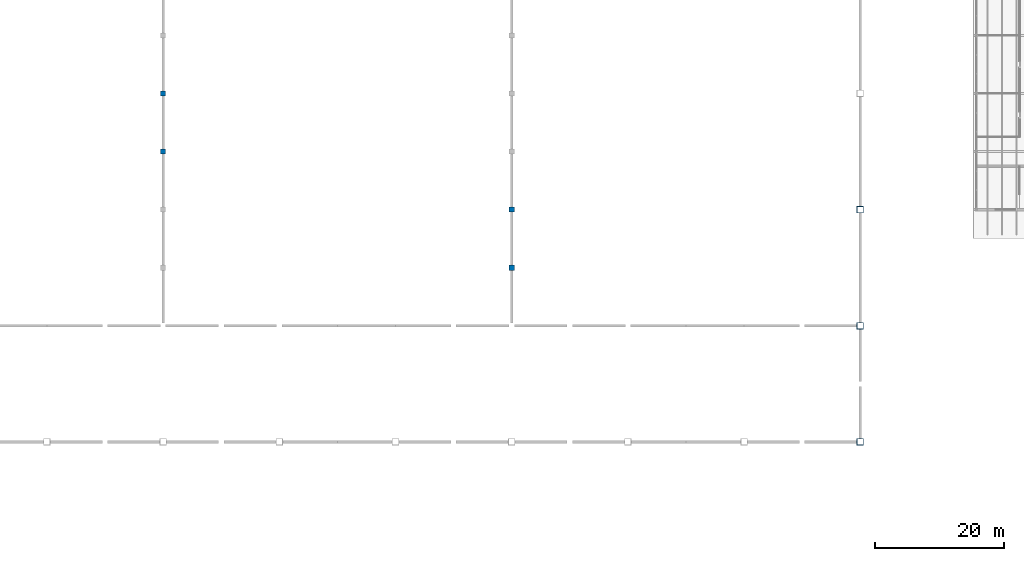
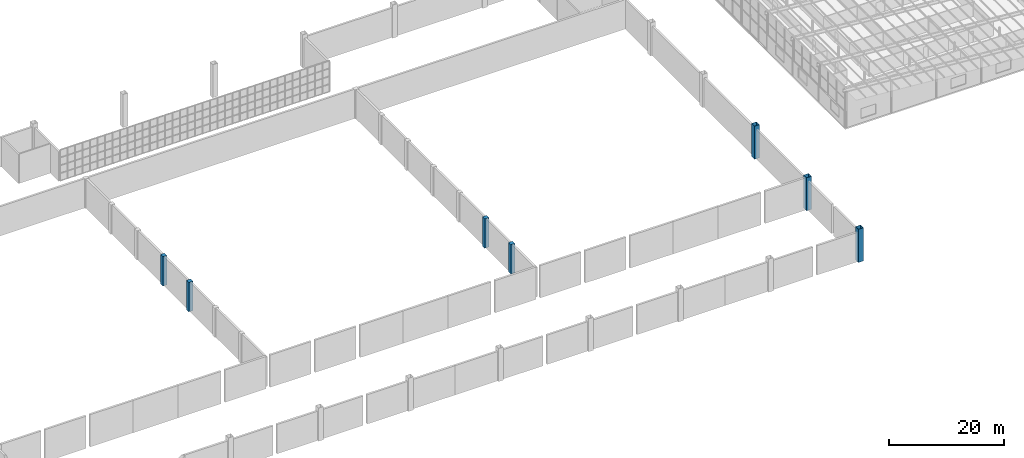
# One storey, part 4 of 85: 7 columns.
"""IFC4 building model written with IfcOpenShell, lengths in metres."""

import ifcopenshell
import ifcopenshell.guid

model = None  # the IFC model being written
_history = None  # IfcOwnerHistory: only IFC2X3 demands one
_inside = {}  # id of a spatial element -> (the spatial element, [elements in it])
_under = {}  # id of a project, library or spatial element -> (it, [spatial elements below it])
_declared = {}  # id of a project -> (the project, [libraries it declares])
_typed = {}  # id of a type object -> (the type object, [elements of that type])
_made_of = {}  # id of a material, layer set ... -> (it, [elements and type objects made of it])


def new_model(schema):
    """Start an empty IFC model of exactly this schema.

    Asked for "IFC4X3", IfcOpenShell would pick the latest addendum, in which some entities
    have other attributes; the version numbers below select the first issue.
    IFC2X3 requires an IfcOwnerHistory on every rooted entity: one is made here for all.
    """
    global model, _history
    if schema == "IFC4X3":
        model = ifcopenshell.file(schema_version=(4, 3, 0, 0))
    else:
        model = ifcopenshell.file(schema=schema)
    _inside.clear()
    _under.clear()
    _declared.clear()
    _typed.clear()
    _made_of.clear()
    _history = None
    if model.schema == "IFC2X3":
        org = make("IfcOrganization", Name="unknown")
        user = make(
            "IfcPersonAndOrganization",
            ThePerson=make("IfcPerson", FamilyName="unknown"),
            TheOrganization=org,
        )
        app = make(
            "IfcApplication",
            ApplicationDeveloper=org,
            Version="unknown",
            ApplicationFullName="unknown",
            ApplicationIdentifier="unknown",
        )
        _history = make(
            "IfcOwnerHistory",
            OwningUser=user,
            OwningApplication=app,
            ChangeAction="ADDED",
            CreationDate=0,
        )
    return model


def make(cls, **values):
    """One entity of the class cls with the attributes given. An attribute that is None is left unset."""
    return model.create_entity(
        cls, **{name: value for name, value in values.items() if value is not None}
    )


def rooted(cls, **values):
    """An entity with a GlobalId (a new one), such as an element, a storey or a relation."""
    return make(cls, GlobalId=ifcopenshell.guid.new(), OwnerHistory=_history, **values)


def si_unit(unit_type, name, prefix=None):
    """IfcSIUnit, for example si_unit("LENGTHUNIT", "METRE", prefix="MILLI")."""
    return make("IfcSIUnit", UnitType=unit_type, Prefix=prefix, Name=name)


def assignment(units):
    """IfcUnitAssignment: the units of a project."""
    return None if units is None else make("IfcUnitAssignment", Units=units)


def point(xyz):
    """IfcCartesianPoint."""
    return None if xyz is None else make("IfcCartesianPoint", Coordinates=xyz)


def direction(xyz):
    """IfcDirection."""
    return None if xyz is None else make("IfcDirection", DirectionRatios=xyz)


def frame(location, z_axis=None, x_axis=None):
    """IfcAxis2Placement3D, a coordinate frame: its origin and axes. An axis left out is left unset."""
    return make(
        "IfcAxis2Placement3D",
        Location=point(location),
        Axis=direction(z_axis),
        RefDirection=direction(x_axis),
    )


def frame_2d(location, x_axis=None):
    """IfcAxis2Placement2D, a coordinate frame in the plane: its origin and x axis."""
    return make(
        "IfcAxis2Placement2D", Location=point(location), RefDirection=direction(x_axis)
    )


def origin():
    """The frame at (0, 0, 0) with its axes left unset."""
    return frame((0.0, 0.0, 0.0))


def origin_2d():
    """The frame at (0, 0) in the plane with its x axis left unset."""
    return frame_2d((0.0, 0.0))


def place(relative_to, where):
    """IfcLocalPlacement: puts the frame where relative to a parent placement (None: the world)."""
    return make(
        "IfcLocalPlacement", PlacementRelTo=relative_to, RelativePlacement=where
    )


def context(
    kind, dimensions, precision=None, world=None, true_north=None, identifier=None
):
    """IfcGeometricRepresentationContext, for example the 3D "Model" context."""
    return make(
        "IfcGeometricRepresentationContext",
        ContextIdentifier=identifier,
        ContextType=kind,
        CoordinateSpaceDimension=dimensions,
        Precision=precision,
        WorldCoordinateSystem=world,
        TrueNorth=true_north,
    )


def subcontext(parent, identifier, kind, view, scale=None):
    """IfcGeometricRepresentationSubContext, for example "Body" below "Model"."""
    return make(
        "IfcGeometricRepresentationSubContext",
        ContextIdentifier=identifier,
        ContextType=kind,
        ParentContext=parent,
        TargetScale=scale,
        TargetView=view,
    )


def project(units=None, contexts=None):
    """IfcProject with its units and contexts."""
    return rooted(
        "IfcProject",
        Name="project",
        RepresentationContexts=contexts,
        UnitsInContext=assignment(units),
    )


def spatial(cls, under=None, at=None, **own):
    """A site, building, storey or space (cls), placed at a placement, below another one or the project."""
    s = rooted(cls, ObjectPlacement=at, **own)
    if under is not None:
        _under.setdefault(under.id(), (under, []))[1].append(s)
    return s


def profile(cls, at=None, kind="AREA", **sizes):
    """A parametric profile (cls). Its sizes go by their IFC names, for example OverallWidth=200.0."""
    return make(cls, ProfileType=kind, Position=at, **sizes)


def rectangle(**sizes):
    """IfcRectangleProfileDef."""
    return profile("IfcRectangleProfileDef", **sizes)


def hollow_rectangle(**sizes):
    """IfcRectangleHollowProfileDef."""
    return profile("IfcRectangleHollowProfileDef", **sizes)


def extrude(swept, where, along, depth):
    """IfcExtrudedAreaSolid: the profile swept, set in the frame where, extruded along a direction by depth."""
    return make(
        "IfcExtrudedAreaSolid",
        SweptArea=swept,
        Position=where,
        ExtrudedDirection=direction(along),
        Depth=depth,
    )


def shape(context_of_items, identifier, shape_type, items):
    """IfcShapeRepresentation: the items that make up one representation, for example the "Body"."""
    return make(
        "IfcShapeRepresentation",
        ContextOfItems=context_of_items,
        RepresentationIdentifier=identifier,
        RepresentationType=shape_type,
        Items=items,
    )


def material(Name=None, Category=None):
    """IfcMaterial."""
    return make("IfcMaterial", Name=Name, Category=Category)


def material_profile(
    of_material, cross_section, Name=None, Category=None, Priority=None
):
    """IfcMaterialProfile: a cross section and its material."""
    return make(
        "IfcMaterialProfile",
        Name=Name,
        Material=of_material,
        Profile=cross_section,
        Priority=Priority,
        Category=Category,
    )


def profile_set(profiles, Name=None, composite=None):
    """IfcMaterialProfileSet."""
    return make(
        "IfcMaterialProfileSet",
        Name=Name,
        MaterialProfiles=profiles,
        CompositeProfile=composite,
    )


def made_of(thing, what):
    """Note that an element or type object is made of a material, layer set ...; save() writes the relation."""
    if what is not None:
        _made_of.setdefault(what.id(), (what, []))[1].append(thing)
    return thing


def type_object(cls, material=None, **own):
    """A type object (cls), such as IfcWallType, which elements share."""
    return made_of(rooted(cls, **own), material)


def element(
    cls,
    number,
    at=None,
    inside=None,
    cuts=None,
    type_object=None,
    material=None,
    context=None,
    identifier="Body",
    shape_type=None,
    held_by="IfcProductDefinitionShape",
    body=None,
    shapes=None,
    **own,
):
    """One element of the class cls, such as IfcWall. Its Tag is "e" and its number.

    at: its placement. inside: the storey or other place that contains it. cuts: it is an
    opening in that element (IfcRelVoidsElement). A single representation is given by context,
    identifier, shape_type and body (its items); several are given by shapes. held_by: the class
    of the entity that holds the representations. save() writes the other relations.
    """
    e = rooted(cls, Tag="e%d" % number, ObjectPlacement=at, **own)
    if body is not None:
        shapes = [shape(context, identifier, shape_type, body)]
    if shapes is not None:
        e.Representation = make(held_by, Representations=shapes)
    if inside is not None:
        _inside.setdefault(inside.id(), (inside, []))[1].append(e)
    if cuts is not None:
        rooted(
            "IfcRelVoidsElement", RelatingBuildingElement=cuts, RelatedOpeningElement=e
        )
    if type_object is not None:
        _typed.setdefault(type_object.id(), (type_object, []))[1].append(e)
    return made_of(e, material)


def aggregate(whole, parts):
    """IfcRelAggregates: a whole, such as a stair, and the parts it consists of."""
    return rooted("IfcRelAggregates", RelatingObject=whole, RelatedObjects=parts)


def save(model, path):
    """Write the relations noted so far, then the file.

    IfcRelAggregates (storeys below a building ...), IfcRelContainedInSpatialStructure (elements
    in a storey), IfcRelDefinesByType, IfcRelAssociatesMaterial and IfcRelDeclares: one each for
    every whole, place, type object, material and project.
    """
    for whole, parts in _under.values():
        aggregate(whole, parts)
    for where, things in _inside.values():
        rooted(
            "IfcRelContainedInSpatialStructure",
            RelatedElements=things,
            RelatingStructure=where,
        )
    for kind, things in _typed.values():
        rooted("IfcRelDefinesByType", RelatedObjects=things, RelatingType=kind)
    for what, things in _made_of.values():
        rooted("IfcRelAssociatesMaterial", RelatedObjects=things, RelatingMaterial=what)
    for by, libraries in _declared.values():
        rooted("IfcRelDeclares", RelatingContext=by, RelatedDefinitions=libraries)
    model.write(path)


model = new_model("IFC4")

# Units and contexts
model_context = context("Model", 3, precision=1e-05, world=origin(), true_north=direction((0.0, 1.0)))
body_context = subcontext(model_context, "Body", "Model", "MODEL_VIEW")
ifc_project = project(units=[si_unit("LENGTHUNIT", "METRE"), si_unit("AREAUNIT", "SQUARE_METRE"), si_unit("VOLUMEUNIT", "CUBIC_METRE"), si_unit("PLANEANGLEUNIT", "RADIAN"), si_unit("MASSUNIT", "GRAM", prefix="KILO")], contexts=[model_context])

# Site, building, storey
site_placement = place(None, origin())
site = spatial("IfcSite", under=ifc_project, at=site_placement, CompositionType="ELEMENT")
building_placement = place(site_placement, origin())
building = spatial("IfcBuilding", under=site, at=building_placement, Name="Opaline Strait Convention Centre", CompositionType="ELEMENT")
storey_placement = place(building_placement, frame((0.0, 0.0, 17.0)))
storey = spatial("IfcBuildingStorey", under=building, at=storey_placement, Name="L03", CompositionType="ELEMENT", Elevation=17.0)

# Columns
ifc_material_1 = material(Name="Steel Q355B", Category="steel")
ifc_material_profile_1 = material_profile(ifc_material_1, hollow_rectangle(XDim=1.0, YDim=1.0, WallThickness=0.031982421875, at=origin_2d()), Name="BOX 1000x1000x32")
ifc_profile_set_1 = profile_set([ifc_material_profile_1], Name="Steel Q355B")
column_type_1 = type_object("IfcColumnType", Name="CFT column BOX 1000x1000x32 C60 fill", PredefinedType="COLUMN", material=ifc_profile_set_1)
for number, where, z_axis, x_axis, name in (
    (1, (261.0, 54.0, 0.0), (0.0, 0.0, 1.0), (1.0, 0.0, 0.0), "Roof column XC-24"),
    (2, (261.0, 72.0, 0.0), (0.0, 0.0, 1.0), (1.0, 0.0, 0.0), "Roof column XC-25"),
    (3, (261.0, 90.0, 0.0), (0.0, 0.0, 1.0), (1.0, 0.0, 0.0), "Roof column XC-26"),
):
    element("IfcColumn", number, at=place(storey_placement, frame(where, z_axis=z_axis, x_axis=x_axis)), inside=storey, type_object=column_type_1, Name=name, ObjectType="XC1", PredefinedType="COLUMN", context=body_context, shape_type="SweptSolid", body=[
        extrude(hollow_rectangle(XDim=1.0, YDim=1.0, WallThickness=0.031982421875, at=origin_2d()), origin(), (0.0, 0.0, 1.0), 7.0),
    ])
ifc_material_2 = material(Name="Concrete C40", Category="concrete")
ifc_material_profile_2 = material_profile(ifc_material_2, rectangle(XDim=0.800048828125, YDim=0.800048828125, at=origin_2d()), Name="RC 800x800")
ifc_profile_set_2 = profile_set([ifc_material_profile_2], Name="Concrete C40")
column_type_2 = type_object("IfcColumnType", Name="RC column 800x800 C40", PredefinedType="COLUMN", material=ifc_profile_set_2)
for number, where, z_axis, x_axis, name in (
    (4, (153.0, 99.0, 0.0), (0.0, 0.0, 1.0), (1.0, 0.0, 0.0), "Fire wall pilaster above L03"),
    (5, (153.0, 108.0, 0.0), (0.0, 0.0, 1.0), (1.0, 0.0, 0.0), "Fire wall pilaster above L03"),
    (6, (207.0, 81.0, 0.0), (0.0, 0.0, 1.0), (1.0, 0.0, 0.0), "Fire wall pilaster above L03"),
    (7, (207.0, 90.0, 0.0), (0.0, 0.0, 1.0), (1.0, 0.0, 0.0), "Fire wall pilaster above L03"),
):
    element("IfcColumn", number, at=place(storey_placement, frame(where, z_axis=z_axis, x_axis=x_axis)), inside=storey, type_object=column_type_2, Name=name, ObjectType="XC2", PredefinedType="COLUMN", context=body_context, shape_type="SweptSolid", body=[
        extrude(rectangle(XDim=0.800048828125, YDim=0.800048828125, at=origin_2d()), origin(), (0.0, 0.0, 1.0), 6.199951171875),
    ])

save(model, "model.ifc")
